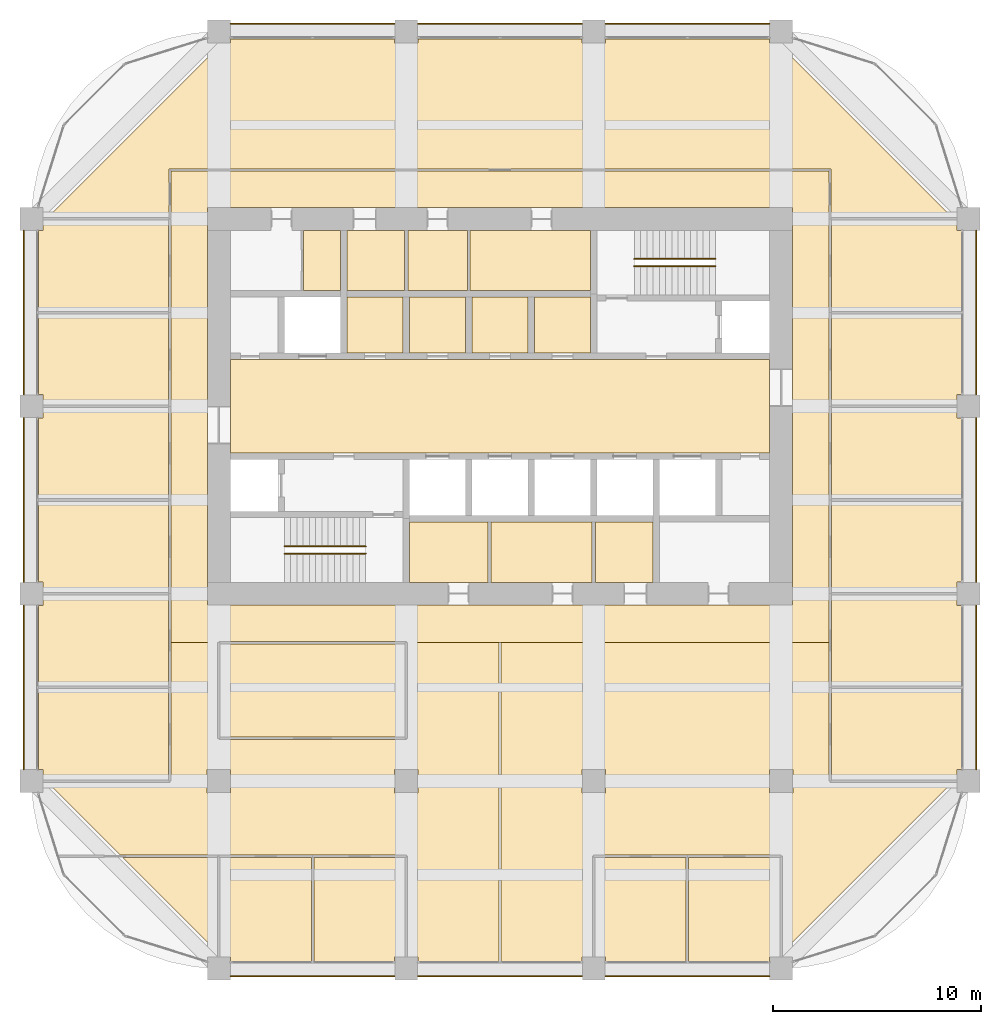
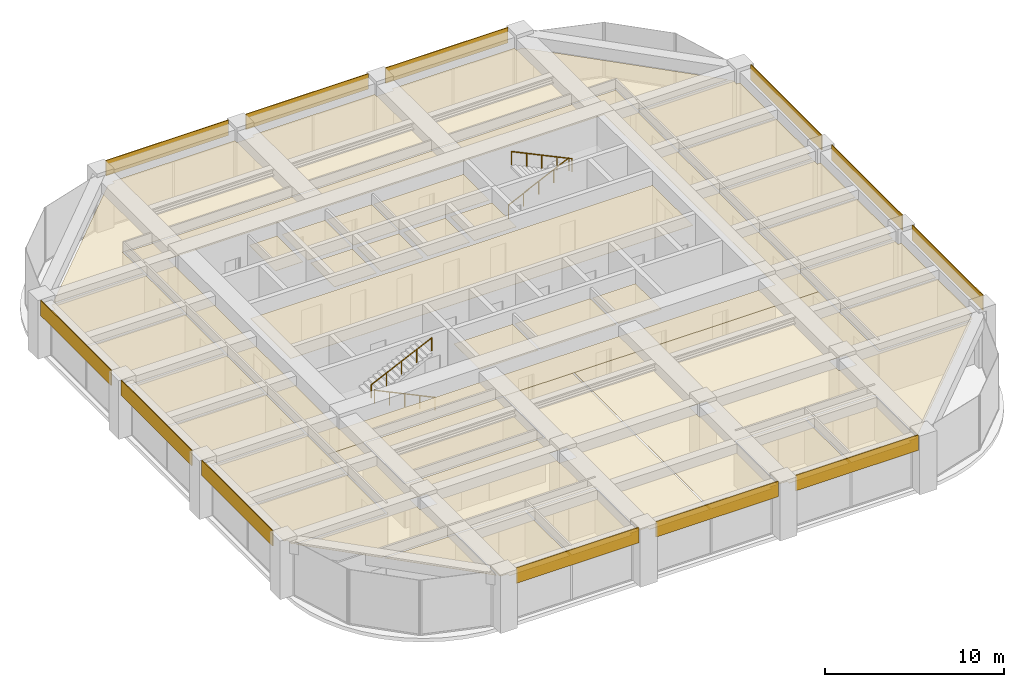
# One storey, part 44 of 44: 46 coverings, 4 railings.
"""IFC4 building model written with IfcOpenShell, lengths in metres."""

from ifc_helpers import new_model, si_unit, direction, frame, frame_2d, origin, origin_2d, place, context, subcontext, project, spatial, polyline, rectangle, circle, outline, extrude, material, layer, layer_set, type_object, element, save


model = new_model("IFC4")

# Units and contexts
model_context = context("Model", 3, precision=1e-05, world=origin(), true_north=direction((0.0, 1.0)))
body_context = subcontext(model_context, "Body", "Model", "MODEL_VIEW")
ifc_project = project(units=[si_unit("LENGTHUNIT", "METRE"), si_unit("AREAUNIT", "SQUARE_METRE"), si_unit("VOLUMEUNIT", "CUBIC_METRE"), si_unit("PLANEANGLEUNIT", "RADIAN"), si_unit("MASSUNIT", "GRAM", prefix="KILO")], contexts=[model_context])

# Site, building, storey
site_placement = place(None, origin())
site = spatial("IfcSite", under=ifc_project, at=site_placement, CompositionType="ELEMENT")
building_placement = place(site_placement, origin())
building = spatial("IfcBuilding", under=site, at=building_placement, Name="Zorevar Civic Tower", CompositionType="ELEMENT")
storey_placement = place(building_placement, frame((0.0, 0.0, 259.39990234375)))
storey = spatial("IfcBuildingStorey", under=building, at=storey_placement, Name="L63", CompositionType="ELEMENT", Elevation=259.39990234375)

# Railings
ifc_material_1 = material(Name="Black steel handrail", Category="steel")
railing_type = type_object("IfcRailingType", Name="Handrail HR1 900", PredefinedType="HANDRAIL", material=ifc_material_1)
railing_1_placement = place(storey_placement, frame((25.050048828125, 19.925048828125, 0.14306640625)))
element("IfcRailing", 1, at=railing_1_placement, inside=storey, type_object=railing_type, Name="Handrail HR1 ST1 L63", PredefinedType="HANDRAIL", context=body_context, shape_type="SweptSolid", body=[
    extrude(circle(Radius=0.02392578125, at=origin_2d()), frame((0.0, 0.0, 0.8759765625), z_axis=(-0.902885590262, 0.0, 0.429880926418), x_axis=(0.0, -1.0, 0.0)), (0.0, 0.0, 1.0), 4.319580078125),
    extrude(circle(Radius=0.02099609375, at=origin_2d()), origin(), (0.0, 0.0, 1.0), 0.851806640625),
    extrude(circle(Radius=0.02099609375, at=origin_2d()), frame((-0.97509765625, 0.0, 0.46435546875)), (0.0, 0.0, 1.0), 0.851806640625),
    extrude(circle(Radius=0.02099609375, at=origin_2d()), frame((-1.9501953125, 0.0, 0.928466796875)), (0.0, 0.0, 1.0), 0.851806640625),
    extrude(circle(Radius=0.02099609375, at=origin_2d()), frame((-2.925048828125, 0.0, 1.392578125)), (0.0, 0.0, 1.0), 0.851806640625),
    extrude(circle(Radius=0.02099609375, at=origin_2d()), frame((-3.900146484375, 0.0, 1.85693359375)), (0.0, 0.0, 1.0), 0.851806640625),
])
for number, where, name in (
    (2, (21.14990234375, 20.27490234375, 2.14306640625), "Handrail HR1 ST1 L63"),
    (3, (37.949951171875, 34.074951171875, 0.14306640625), "Handrail HR1 ST2 L63"),
):
    element("IfcRailing", number, at=place(storey_placement, frame(where)), inside=storey, type_object=railing_type, Name=name, PredefinedType="HANDRAIL", context=body_context, shape_type="SweptSolid", body=[
        extrude(circle(Radius=0.02392578125, at=origin_2d()), frame((0.0, 0.0, 0.8759765625), z_axis=(0.902885590262, 0.0, 0.429880926418), x_axis=(0.0, 1.0, 0.0)), (0.0, 0.0, 1.0), 4.319580078125),
        extrude(circle(Radius=0.02099609375, at=origin_2d()), origin(), (0.0, 0.0, 1.0), 0.851806640625),
        extrude(circle(Radius=0.02099609375, at=origin_2d()), frame((0.97509765625, 0.0, 0.46435546875)), (0.0, 0.0, 1.0), 0.851806640625),
        extrude(circle(Radius=0.02099609375, at=origin_2d()), frame((1.9501953125, 0.0, 0.928466796875)), (0.0, 0.0, 1.0), 0.851806640625),
        extrude(circle(Radius=0.02099609375, at=origin_2d()), frame((2.925048828125, 0.0, 1.392578125)), (0.0, 0.0, 1.0), 0.851806640625),
        extrude(circle(Radius=0.02099609375, at=origin_2d()), frame((3.900146484375, 0.0, 1.85693359375)), (0.0, 0.0, 1.0), 0.851806640625),
    ])
railing_2_placement = place(storey_placement, frame((41.85009765625, 33.72509765625, 2.14306640625)))
element("IfcRailing", 4, at=railing_2_placement, inside=storey, type_object=railing_type, Name="Handrail HR1 ST2 L63", PredefinedType="HANDRAIL", context=body_context, shape_type="SweptSolid", body=[
    extrude(circle(Radius=0.02392578125, at=origin_2d()), frame((0.0, 0.0, 0.8759765625), z_axis=(-0.902885590262, 0.0, 0.429880926418), x_axis=(0.0, -1.0, 0.0)), (0.0, 0.0, 1.0), 4.319580078125),
    extrude(circle(Radius=0.02099609375, at=origin_2d()), origin(), (0.0, 0.0, 1.0), 0.851806640625),
    extrude(circle(Radius=0.02099609375, at=origin_2d()), frame((-0.97509765625, 0.0, 0.46435546875)), (0.0, 0.0, 1.0), 0.851806640625),
    extrude(circle(Radius=0.02099609375, at=origin_2d()), frame((-1.9501953125, 0.0, 0.928466796875)), (0.0, 0.0, 1.0), 0.851806640625),
    extrude(circle(Radius=0.02099609375, at=origin_2d()), frame((-2.925048828125, 0.0, 1.392578125)), (0.0, 0.0, 1.0), 0.851806640625),
    extrude(circle(Radius=0.02099609375, at=origin_2d()), frame((-3.900146484375, 0.0, 1.85693359375)), (0.0, 0.0, 1.0), 0.851806640625),
])

# Coverings
ifc_material_2 = material(Name="Moisture-resistant gypsum board")
ifc_layer_1 = layer(ifc_material_2, 0.012451171875)
ifc_layer_set_1 = layer_set([ifc_layer_1], Name="Moisture-resistant ceiling SC3")
covering_type_1 = type_object("IfcCoveringType", Name="Moisture-resistant ceiling SC3", PredefinedType="CEILING", material=ifc_layer_set_1)
covering_1_placement = place(storey_placement, frame((0.0, 0.0, 3.0)))
element("IfcCovering", 5, at=covering_1_placement, inside=storey, type_object=covering_type_1, Name="Ceiling L63-05", PredefinedType="CEILING", context=body_context, shape_type="SweptSolid", body=[
    extrude(outline(polyline([(30.925048828125, 18.550048828125), (30.925048828125, 21.449951171875), (27.14990234375, 21.449951171875), (27.14990234375, 18.550048828125), (30.925048828125, 18.550048828125)])), origin(), (0.0, 0.0, 1.0), 0.0126953125),
])
covering_2_placement = place(storey_placement, frame((0.0, 0.0, 3.0)))
element("IfcCovering", 6, at=covering_2_placement, inside=storey, type_object=covering_type_1, Name="Ceiling L63-06", PredefinedType="CEILING", context=body_context, shape_type="SweptSolid", body=[
    extrude(outline(polyline([(35.925048828125, 18.550048828125), (35.925048828125, 21.449951171875), (31.074951171875, 21.449951171875), (31.074951171875, 18.550048828125), (35.925048828125, 18.550048828125)])), origin(), (0.0, 0.0, 1.0), 0.0126953125),
])
covering_3_placement = place(storey_placement, frame((0.0, 0.0, 3.0)))
element("IfcCovering", 7, at=covering_3_placement, inside=storey, type_object=covering_type_1, Name="Ceiling L63-07", PredefinedType="CEILING", context=body_context, shape_type="SweptSolid", body=[
    extrude(outline(polyline([(38.85009765625, 18.550048828125), (38.85009765625, 21.449951171875), (36.074951171875, 21.449951171875), (36.074951171875, 18.550048828125), (38.85009765625, 18.550048828125)])), origin(), (0.0, 0.0, 1.0), 0.0126953125),
])
covering_4_placement = place(storey_placement, frame((0.0, 0.0, 3.0)))
element("IfcCovering", 8, at=covering_4_placement, inside=storey, type_object=covering_type_1, Name="Ceiling L63-10", PredefinedType="CEILING", context=body_context, shape_type="SweptSolid", body=[
    extrude(outline(polyline([(26.925048828125, 32.550048828125), (26.925048828125, 35.449951171875), (24.14990234375, 35.449951171875), (24.14990234375, 32.550048828125), (26.925048828125, 32.550048828125)])), origin(), (0.0, 0.0, 1.0), 0.0126953125),
])
ifc_material_3 = material(Name="Black anodised aluminium spandrel panel", Category="aluminium")
ifc_layer_2 = layer(ifc_material_3, 0.050048828125)
ifc_layer_set_2 = layer_set([ifc_layer_2], Name="Spandrel cladding SP1")
covering_type_2 = type_object("IfcCoveringType", Name="Spandrel cladding SP1", PredefinedType="CLADDING", material=ifc_layer_set_2)
for number, where, z_axis, x_axis, name in (
    (9, (18.550048828125, -0.375, 2.9501953125), (0.0, 0.0, 1.0), (1.0, 0.0, 0.0), "Spandrel cladding L64"),
    (10, (27.550048828125, -0.375, 2.9501953125), (0.0, 0.0, 1.0), (1.0, 0.0, 0.0), "Spandrel cladding L64"),
    (11, (36.550048828125, -0.375, 2.9501953125), (0.0, 0.0, 1.0), (1.0, 0.0, 0.0), "Spandrel cladding L64"),
    (12, (18.550048828125, 45.375, 2.9501953125), (0.0, 0.0, 1.0), (1.0, 0.0, 0.0), "Spandrel cladding L64"),
    (13, (27.550048828125, 45.375, 2.9501953125), (0.0, 0.0, 1.0), (1.0, 0.0, 0.0), "Spandrel cladding L64"),
    (14, (36.550048828125, 45.375, 2.9501953125), (0.0, 0.0, 1.0), (1.0, 0.0, 0.0), "Spandrel cladding L64"),
    (15, (8.625, 9.550048828125, 2.9501953125), (0.0, 0.0, 1.0), (0.0, 1.0, 0.0), "Spandrel cladding L64"),
    (16, (8.625, 18.550048828125, 2.9501953125), (0.0, 0.0, 1.0), (0.0, 1.0, 0.0), "Spandrel cladding L64"),
    (17, (8.625, 27.550048828125, 2.9501953125), (0.0, 0.0, 1.0), (0.0, 1.0, 0.0), "Spandrel cladding L64"),
    (18, (54.375, 9.550048828125, 2.9501953125), (0.0, 0.0, 1.0), (0.0, 1.0, 0.0), "Spandrel cladding L64"),
    (19, (54.375, 18.550048828125, 2.9501953125), (0.0, 0.0, 1.0), (0.0, 1.0, 0.0), "Spandrel cladding L64"),
    (20, (54.375, 27.550048828125, 2.9501953125), (0.0, 0.0, 1.0), (0.0, 1.0, 0.0), "Spandrel cladding L64"),
):
    element("IfcCovering", number, at=place(storey_placement, frame(where, z_axis=z_axis, x_axis=x_axis)), inside=storey, type_object=covering_type_2, Name=name, PredefinedType="CLADDING", context=body_context, shape_type="SweptSolid", body=[
        extrude(rectangle(XDim=7.89990234375, YDim=0.050048828125, at=frame_2d((3.949951171875, 0.0))), origin(), (0.0, 0.0, 1.0), 1.0498046875),
    ])
ifc_material_4 = material(Name="Mineral fibre tiles on a concealed grid")
ifc_layer_3 = layer(ifc_material_4, 0.02001953125)
ifc_layer_set_3 = layer_set([ifc_layer_3], Name="Suspended ceiling SC1")
covering_type_3 = type_object("IfcCoveringType", Name="Suspended ceiling SC1", PredefinedType="CEILING", material=ifc_layer_set_3)
covering_5_placement = place(storey_placement, frame((0.0, 0.0, 3.0)))
element("IfcCovering", 21, at=covering_5_placement, inside=storey, type_object=covering_type_3, Name="Ceiling L63-08", PredefinedType="CEILING", context=body_context, shape_type="SweptSolid", body=[
    extrude(outline(polyline([(35.85009765625, 32.550048828125), (35.85009765625, 35.449951171875), (30.06005859375, 35.449951171875), (30.06005859375, 32.550048828125), (35.85009765625, 32.550048828125)])), origin(), (0.0, 0.0, 1.0), 0.02001953125),
])
covering_6_placement = place(storey_placement, frame((0.0, 0.0, 3.0)))
element("IfcCovering", 22, at=covering_6_placement, inside=storey, type_object=covering_type_3, Name="Ceiling L63-09", PredefinedType="CEILING", context=body_context, shape_type="SweptSolid", body=[
    extrude(outline(polyline([(29.93994140625, 32.550048828125), (29.93994140625, 35.449951171875), (27.074951171875, 35.449951171875), (27.074951171875, 32.550048828125), (29.93994140625, 32.550048828125)])), origin(), (0.0, 0.0, 1.0), 0.02001953125),
])
covering_7_placement = place(storey_placement, frame((0.0, 0.0, 3.0)))
element("IfcCovering", 23, at=covering_7_placement, inside=storey, type_object=covering_type_3, Name="Ceiling L63-12", PredefinedType="CEILING", context=body_context, shape_type="SweptSolid", body=[
    extrude(outline(polyline([(23.85009765625, 32.550048828125), (23.85009765625, 35.449951171875), (22.06005859375, 35.449951171875), (22.06005859375, 32.550048828125), (23.85009765625, 32.550048828125)])), origin(), (0.0, 0.0, 1.0), 0.02001953125),
])
covering_8_placement = place(storey_placement, frame((0.0, 0.0, 3.0)))
element("IfcCovering", 24, at=covering_8_placement, inside=storey, type_object=covering_type_3, Name="Ceiling L63-16", PredefinedType="CEILING", context=body_context, shape_type="SweptSolid", body=[
    extrude(outline(polyline([(44.449951171875, 24.75), (44.449951171875, 29.25), (18.550048828125, 29.25), (18.550048828125, 24.75), (44.449951171875, 24.75)])), origin(), (0.0, 0.0, 1.0), 0.02001953125),
])
covering_9_placement = place(storey_placement, frame((0.0, 0.0, 3.0)))
element("IfcCovering", 25, at=covering_9_placement, inside=storey, type_object=covering_type_3, Name="Ceiling L63-17", PredefinedType="CEILING", context=body_context, shape_type="SweptSolid", body=[
    extrude(outline(polyline([(35.85009765625, 29.550048828125), (35.85009765625, 32.25), (33.14990234375, 32.25), (33.14990234375, 29.550048828125), (35.85009765625, 29.550048828125)])), origin(), (0.0, 0.0, 1.0), 0.02001953125),
])
covering_10_placement = place(storey_placement, frame((0.0, 0.0, 3.0)))
element("IfcCovering", 26, at=covering_10_placement, inside=storey, type_object=covering_type_3, Name="Ceiling L63-18", PredefinedType="CEILING", context=body_context, shape_type="SweptSolid", body=[
    extrude(outline(polyline([(32.85009765625, 29.550048828125), (32.85009765625, 32.25), (30.14990234375, 32.25), (30.14990234375, 29.550048828125), (32.85009765625, 29.550048828125)])), origin(), (0.0, 0.0, 1.0), 0.02001953125),
])
covering_11_placement = place(storey_placement, frame((0.0, 0.0, 3.0)))
element("IfcCovering", 27, at=covering_11_placement, inside=storey, type_object=covering_type_3, Name="Ceiling L63-19", PredefinedType="CEILING", context=body_context, shape_type="SweptSolid", body=[
    extrude(outline(polyline([(29.85009765625, 29.550048828125), (29.85009765625, 32.25), (27.14990234375, 32.25), (27.14990234375, 29.550048828125), (29.85009765625, 29.550048828125)])), origin(), (0.0, 0.0, 1.0), 0.02001953125),
])
covering_12_placement = place(storey_placement, frame((0.0, 0.0, 3.0)))
element("IfcCovering", 28, at=covering_12_placement, inside=storey, type_object=covering_type_3, Name="Ceiling L63-20", PredefinedType="CEILING", context=body_context, shape_type="SweptSolid", body=[
    extrude(outline(polyline([(26.85009765625, 29.550048828125), (26.85009765625, 32.25), (24.14990234375, 32.25), (24.14990234375, 29.550048828125), (26.85009765625, 29.550048828125)])), origin(), (0.0, 0.0, 1.0), 0.02001953125),
])
covering_13_placement = place(storey_placement, frame((0.0, 0.0, 3.0)))
element("IfcCovering", 29, at=covering_13_placement, inside=storey, type_object=covering_type_3, Name="Ceiling L63-21", PredefinedType="CEILING", context=body_context, shape_type="SweptSolid", body=[
    extrude(outline(polyline([(9.647216796875, 9.06005859375), (9.56005859375, 9.147216796875), (9.56005859375, 9.56005859375), (9.35009765625, 9.56005859375), (9.35009765625, 13.43994140625), (15.590087890625, 13.43994140625), (15.590087890625, 9.06005859375), (9.647216796875, 9.06005859375)])), origin(), (0.0, 0.0, 1.0), 0.02001953125),
])
covering_14_placement = place(storey_placement, frame((0.0, 0.0, 3.0)))
element("IfcCovering", 30, at=covering_14_placement, inside=storey, type_object=covering_type_3, Name="Ceiling L63-22", PredefinedType="CEILING", context=body_context, shape_type="SweptSolid", body=[
    extrude(outline(polyline([(15.590087890625, 13.56005859375), (9.35009765625, 13.56005859375), (9.35009765625, 17.43994140625), (9.56005859375, 17.43994140625), (9.56005859375, 17.93994140625), (15.590087890625, 17.93994140625), (15.590087890625, 13.56005859375)])), origin(), (0.0, 0.0, 1.0), 0.02001953125),
])
covering_15_placement = place(storey_placement, frame((0.0, 0.0, 3.0)))
element("IfcCovering", 31, at=covering_15_placement, inside=storey, type_object=covering_type_3, Name="Ceiling L63-23", PredefinedType="CEILING", context=body_context, shape_type="SweptSolid", body=[
    extrude(outline(polyline([(15.590087890625, 18.06005859375), (9.56005859375, 18.06005859375), (9.56005859375, 18.56005859375), (9.35009765625, 18.56005859375), (9.35009765625, 22.43994140625), (15.590087890625, 22.43994140625), (15.590087890625, 18.06005859375)])), origin(), (0.0, 0.0, 1.0), 0.02001953125),
])
covering_16_placement = place(storey_placement, frame((0.0, 0.0, 3.0)))
element("IfcCovering", 32, at=covering_16_placement, inside=storey, type_object=covering_type_3, Name="Ceiling L63-24", PredefinedType="CEILING", context=body_context, shape_type="SweptSolid", body=[
    extrude(outline(polyline([(15.590087890625, 22.56005859375), (9.35009765625, 22.56005859375), (9.35009765625, 26.43994140625), (9.56005859375, 26.43994140625), (9.56005859375, 26.93994140625), (15.590087890625, 26.93994140625), (15.590087890625, 22.56005859375)])), origin(), (0.0, 0.0, 1.0), 0.02001953125),
])
covering_17_placement = place(storey_placement, frame((0.0, 0.0, 3.0)))
element("IfcCovering", 33, at=covering_17_placement, inside=storey, type_object=covering_type_3, Name="Ceiling L63-25", PredefinedType="CEILING", context=body_context, shape_type="SweptSolid", body=[
    extrude(outline(polyline([(15.590087890625, 27.06005859375), (9.56005859375, 27.06005859375), (9.56005859375, 27.56005859375), (9.35009765625, 27.56005859375), (9.35009765625, 31.43994140625), (15.590087890625, 31.43994140625), (15.590087890625, 27.06005859375)])), origin(), (0.0, 0.0, 1.0), 0.02001953125),
])
covering_18_placement = place(storey_placement, frame((0.0, 0.0, 3.0)))
element("IfcCovering", 34, at=covering_18_placement, inside=storey, type_object=covering_type_3, Name="Ceiling L63-26", PredefinedType="CEILING", context=body_context, shape_type="SweptSolid", body=[
    extrude(outline(polyline([(9.35009765625, 31.56005859375), (9.35009765625, 35.43994140625), (9.56005859375, 35.43994140625), (9.56005859375, 35.852783203125), (9.647216796875, 35.93994140625), (15.590087890625, 35.93994140625), (15.590087890625, 31.56005859375), (9.35009765625, 31.56005859375)])), origin(), (0.0, 0.0, 1.0), 0.02001953125),
])
covering_19_placement = place(storey_placement, frame((0.0, 0.0, 3.0)))
element("IfcCovering", 35, at=covering_19_placement, inside=storey, type_object=covering_type_3, Name="Ceiling L63-27", PredefinedType="CEILING", context=body_context, shape_type="SweptSolid", body=[
    extrude(outline(polyline([(53.64990234375, 13.43994140625), (53.64990234375, 9.56005859375), (53.43994140625, 9.56005859375), (53.43994140625, 9.147216796875), (53.352783203125, 9.06005859375), (47.409912109375, 9.06005859375), (47.409912109375, 13.43994140625), (53.64990234375, 13.43994140625)])), origin(), (0.0, 0.0, 1.0), 0.02001953125),
])
covering_20_placement = place(storey_placement, frame((0.0, 0.0, 3.0)))
element("IfcCovering", 36, at=covering_20_placement, inside=storey, type_object=covering_type_3, Name="Ceiling L63-28", PredefinedType="CEILING", context=body_context, shape_type="SweptSolid", body=[
    extrude(outline(polyline([(47.409912109375, 17.93994140625), (53.43994140625, 17.93994140625), (53.43994140625, 17.43994140625), (53.64990234375, 17.43994140625), (53.64990234375, 13.56005859375), (47.409912109375, 13.56005859375), (47.409912109375, 17.93994140625)])), origin(), (0.0, 0.0, 1.0), 0.02001953125),
])
covering_21_placement = place(storey_placement, frame((0.0, 0.0, 3.0)))
element("IfcCovering", 37, at=covering_21_placement, inside=storey, type_object=covering_type_3, Name="Ceiling L63-29", PredefinedType="CEILING", context=body_context, shape_type="SweptSolid", body=[
    extrude(outline(polyline([(47.409912109375, 22.43994140625), (53.64990234375, 22.43994140625), (53.64990234375, 18.56005859375), (53.43994140625, 18.56005859375), (53.43994140625, 18.06005859375), (47.409912109375, 18.06005859375), (47.409912109375, 22.43994140625)])), origin(), (0.0, 0.0, 1.0), 0.02001953125),
])
covering_22_placement = place(storey_placement, frame((0.0, 0.0, 3.0)))
element("IfcCovering", 38, at=covering_22_placement, inside=storey, type_object=covering_type_3, Name="Ceiling L63-30", PredefinedType="CEILING", context=body_context, shape_type="SweptSolid", body=[
    extrude(outline(polyline([(47.409912109375, 26.93994140625), (53.43994140625, 26.93994140625), (53.43994140625, 26.43994140625), (53.64990234375, 26.43994140625), (53.64990234375, 22.56005859375), (47.409912109375, 22.56005859375), (47.409912109375, 26.93994140625)])), origin(), (0.0, 0.0, 1.0), 0.02001953125),
])
covering_23_placement = place(storey_placement, frame((0.0, 0.0, 3.0)))
element("IfcCovering", 39, at=covering_23_placement, inside=storey, type_object=covering_type_3, Name="Ceiling L63-31", PredefinedType="CEILING", context=body_context, shape_type="SweptSolid", body=[
    extrude(outline(polyline([(47.409912109375, 31.43994140625), (53.64990234375, 31.43994140625), (53.64990234375, 27.56005859375), (53.43994140625, 27.56005859375), (53.43994140625, 27.06005859375), (47.409912109375, 27.06005859375), (47.409912109375, 31.43994140625)])), origin(), (0.0, 0.0, 1.0), 0.02001953125),
])
covering_24_placement = place(storey_placement, frame((0.0, 0.0, 3.0)))
element("IfcCovering", 40, at=covering_24_placement, inside=storey, type_object=covering_type_3, Name="Ceiling L63-32", PredefinedType="CEILING", context=body_context, shape_type="SweptSolid", body=[
    extrude(outline(polyline([(53.352783203125, 35.93994140625), (53.43994140625, 35.852783203125), (53.43994140625, 35.43994140625), (53.64990234375, 35.43994140625), (53.64990234375, 31.56005859375), (47.409912109375, 31.56005859375), (47.409912109375, 35.93994140625), (53.352783203125, 35.93994140625)])), origin(), (0.0, 0.0, 1.0), 0.02001953125),
])
covering_25_placement = place(storey_placement, frame((0.0, 0.0, 3.0)))
element("IfcCovering", 41, at=covering_25_placement, inside=storey, type_object=covering_type_3, Name="Ceiling L63-33", PredefinedType="CEILING", context=body_context, shape_type="SweptSolid", body=[
    extrude(outline(polyline([(22.43994140625, 0.35009765625), (18.56005859375, 0.35009765625), (18.56005859375, 0.56005859375), (18.147216796875, 0.56005859375), (18.06005859375, 0.647216796875), (18.06005859375, 5.340087890625), (22.43994140625, 5.340087890625), (22.43994140625, 0.35009765625)])), origin(), (0.0, 0.0, 1.0), 0.02001953125),
])
covering_26_placement = place(storey_placement, frame((0.0, 0.0, 3.0)))
element("IfcCovering", 42, at=covering_26_placement, inside=storey, type_object=covering_type_3, Name="Ceiling L63-34", PredefinedType="CEILING", context=body_context, shape_type="SweptSolid", body=[
    extrude(outline(polyline([(26.93994140625, 5.340087890625), (26.93994140625, 0.56005859375), (26.43994140625, 0.56005859375), (26.43994140625, 0.35009765625), (22.56005859375, 0.35009765625), (22.56005859375, 5.340087890625), (26.93994140625, 5.340087890625)])), origin(), (0.0, 0.0, 1.0), 0.02001953125),
])
covering_27_placement = place(storey_placement, frame((0.0, 0.0, 3.0)))
element("IfcCovering", 43, at=covering_27_placement, inside=storey, type_object=covering_type_3, Name="Ceiling L63-35", PredefinedType="CEILING", context=body_context, shape_type="SweptSolid", body=[
    extrude(outline(polyline([(40.43994140625, 5.340087890625), (40.43994140625, 0.35009765625), (36.56005859375, 0.35009765625), (36.56005859375, 0.56005859375), (36.06005859375, 0.56005859375), (36.06005859375, 5.340087890625), (40.43994140625, 5.340087890625)])), origin(), (0.0, 0.0, 1.0), 0.02001953125),
])
covering_28_placement = place(storey_placement, frame((0.0, 0.0, 3.0)))
element("IfcCovering", 44, at=covering_28_placement, inside=storey, type_object=covering_type_3, Name="Ceiling L63-36", PredefinedType="CEILING", context=body_context, shape_type="SweptSolid", body=[
    extrude(outline(polyline([(44.93994140625, 0.647216796875), (44.852783203125, 0.56005859375), (44.43994140625, 0.56005859375), (44.43994140625, 0.35009765625), (40.56005859375, 0.35009765625), (40.56005859375, 5.340087890625), (44.93994140625, 5.340087890625), (44.93994140625, 0.647216796875)])), origin(), (0.0, 0.0, 1.0), 0.02001953125),
])
covering_29_placement = place(storey_placement, frame((0.0, 0.0, 3.0)))
element("IfcCovering", 45, at=covering_29_placement, inside=storey, type_object=covering_type_3, Name="Ceiling L63-37", PredefinedType="CEILING", context=body_context, shape_type="SweptSolid", body=[
    extrude(outline(polyline([(26.93994140625, 11.110107421875), (18.06005859375, 11.110107421875), (18.06005859375, 15.590087890625), (26.93994140625, 15.590087890625), (26.93994140625, 11.110107421875)])), origin(), (0.0, 0.0, 1.0), 0.02001953125),
])
covering_30_placement = place(storey_placement, frame((0.0, 0.0, 3.0)))
element("IfcCovering", 46, at=covering_30_placement, inside=storey, type_object=covering_type_3, Name="Ceiling L63-38", PredefinedType="CEILING", context=body_context, shape_type="SweptSolid", body=[
    extrude(outline(polyline([(17.93994140625, 5.340087890625), (17.93994140625, 0.76708984375), (13.3671875, 5.340087890625), (17.93994140625, 5.340087890625)])), origin(), (0.0, 0.0, 1.0), 0.02001953125),
])
covering_31_placement = place(storey_placement, frame((0.0, 0.0, 3.0)))
element("IfcCovering", 47, at=covering_31_placement, inside=storey, type_object=covering_type_3, Name="Ceiling L63-39", PredefinedType="CEILING", context=body_context, shape_type="SweptSolid", body=[
    extrude(outline(polyline([(47.2900390625, 15.64990234375), (27.0, 15.64990234375), (27.0, 15.7099609375), (18.0, 15.7099609375), (18.0, 15.64990234375), (15.7099609375, 15.64990234375), (15.7099609375, 36.0), (15.64990234375, 36.0), (15.64990234375, 36.010009765625), (15.699951171875, 36.010009765625), (15.699951171875, 38.300048828125), (47.300048828125, 38.300048828125), (47.300048828125, 36.0), (47.2900390625, 36.0), (47.2900390625, 15.64990234375)]), holes=[polyline([(45.550048828125, 36.550048828125), (17.449951171875, 36.550048828125), (17.449951171875, 17.449951171875), (45.550048828125, 17.449951171875), (45.550048828125, 36.550048828125)])]), origin(), (0.0, 0.0, 1.0), 0.02001953125),
])
covering_32_placement = place(storey_placement, frame((0.0, 0.0, 3.0)))
element("IfcCovering", 48, at=covering_32_placement, inside=storey, type_object=covering_type_3, Name="Ceiling L63-40", PredefinedType="CEILING", context=body_context, shape_type="SweptSolid", body=[
    extrude(outline(polyline([(18.56005859375, 44.43994140625), (18.56005859375, 44.64794921875), (26.43994140625, 44.64794921875), (26.43994140625, 44.43994140625), (27.56005859375, 44.43994140625), (27.56005859375, 44.64794921875), (35.43994140625, 44.64794921875), (35.43994140625, 44.43994140625), (36.56005859375, 44.43994140625), (36.56005859375, 44.64794921875), (44.43994140625, 44.64794921875), (44.43994140625, 44.43994140625), (44.852783203125, 44.43994140625), (53.23193359375, 36.06103515625), (47.40087890625, 36.06103515625), (47.402099609375, 38.39990234375), (47.39990234375, 38.402099609375), (15.599853515625, 38.402099609375), (15.597900390625, 38.39990234375), (15.597900390625, 36.551025390625), (15.60009765625, 36.550048828125), (15.60009765625, 36.06005859375), (9.76708984375, 36.06005859375), (18.147216796875, 44.43994140625), (18.56005859375, 44.43994140625)])), origin(), (0.0, 0.0, 1.0), 0.02001953125),
])
covering_33_placement = place(storey_placement, frame((0.0, 0.0, 3.0)))
element("IfcCovering", 49, at=covering_33_placement, inside=storey, type_object=covering_type_3, Name="Ceiling L63-41", PredefinedType="CEILING", context=body_context, shape_type="SweptSolid", body=[
    extrude(outline(polyline([(15.64990234375, 8.93994140625), (15.64990234375, 9.0), (15.7099609375, 9.0), (15.7099609375, 15.64990234375), (17.93994140625, 15.64990234375), (17.93994140625, 11.050048828125), (18.0, 11.050048828125), (18.0, 10.989990234375), (27.0, 10.989990234375), (27.0, 11.050048828125), (27.06005859375, 11.050048828125), (27.06005859375, 15.64990234375), (31.449951171875, 15.64990234375), (31.449951171875, 0.35009765625), (27.56005859375, 0.35009765625), (27.56005859375, 0.56005859375), (27.06005859375, 0.56005859375), (27.06005859375, 5.39990234375), (27.0, 5.39990234375), (27.0, 5.4599609375), (13.2470703125, 5.4599609375), (9.76708984375, 8.93994140625), (15.64990234375, 8.93994140625)]), holes=[polyline([(18.56005859375, 8.43994140625), (18.56005859375, 9.56005859375), (17.43994140625, 9.56005859375), (17.43994140625, 8.43994140625), (18.56005859375, 8.43994140625)]), polyline([(26.43994140625, 9.56005859375), (26.43994140625, 8.43994140625), (27.56005859375, 8.43994140625), (27.56005859375, 9.56005859375), (26.43994140625, 9.56005859375)])]), origin(), (0.0, 0.0, 1.0), 0.02001953125),
])
covering_34_placement = place(storey_placement, frame((0.0, 0.0, 3.0)))
element("IfcCovering", 50, at=covering_34_placement, inside=storey, type_object=covering_type_3, Name="Ceiling L63-42", PredefinedType="CEILING", context=body_context, shape_type="SweptSolid", body=[
    extrude(outline(polyline([(45.06005859375, 5.39990234375), (45.0, 5.39990234375), (45.0, 5.4599609375), (36.0, 5.4599609375), (36.0, 5.39990234375), (35.93994140625, 5.39990234375), (35.93994140625, 0.56005859375), (35.43994140625, 0.56005859375), (35.43994140625, 0.35009765625), (31.550048828125, 0.35009765625), (31.550048828125, 15.64990234375), (47.2900390625, 15.64990234375), (47.2900390625, 9.0), (47.35009765625, 9.0), (47.35009765625, 8.93994140625), (53.23291015625, 8.93994140625), (45.06005859375, 0.76708984375), (45.06005859375, 5.39990234375)]), holes=[polyline([(36.56005859375, 9.56005859375), (35.43994140625, 9.56005859375), (35.43994140625, 8.43994140625), (36.56005859375, 8.43994140625), (36.56005859375, 9.56005859375)]), polyline([(44.43994140625, 8.43994140625), (45.56005859375, 8.43994140625), (45.56005859375, 9.56005859375), (44.43994140625, 9.56005859375), (44.43994140625, 8.43994140625)])]), origin(), (0.0, 0.0, 1.0), 0.02001953125),
])

save(model, "model.ifc")
